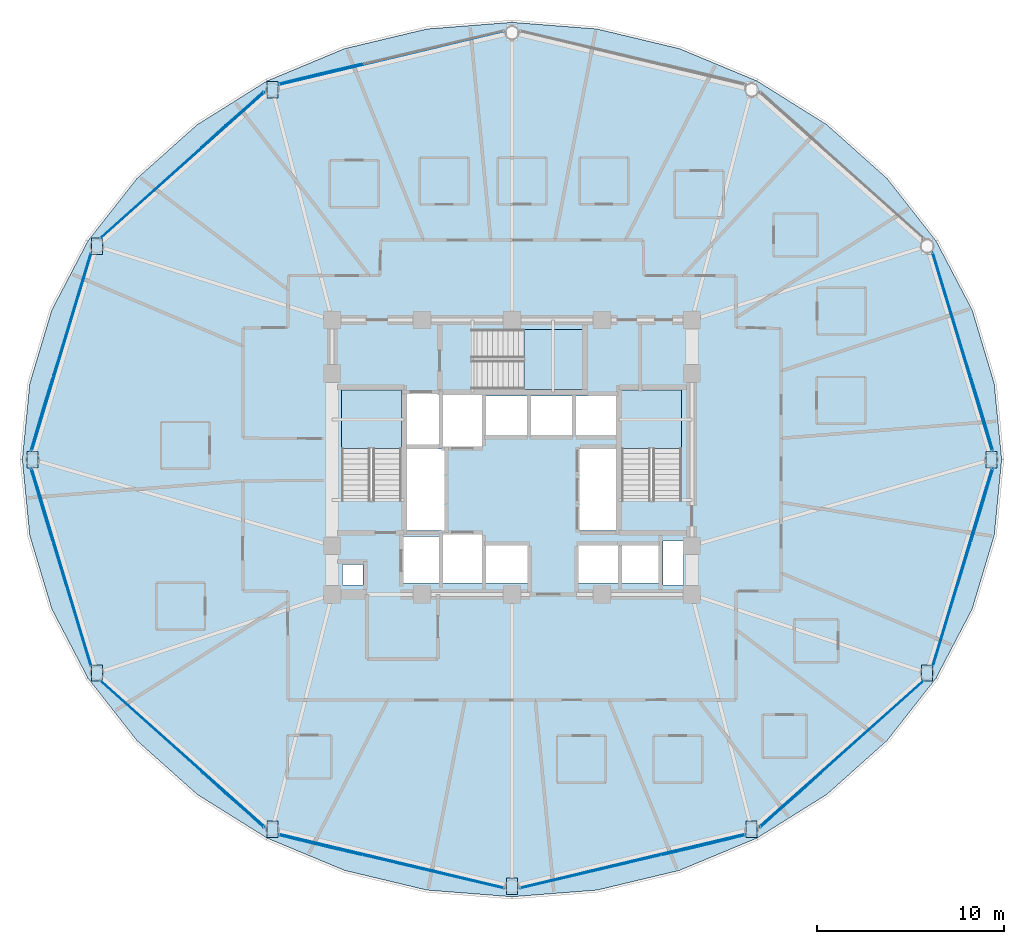
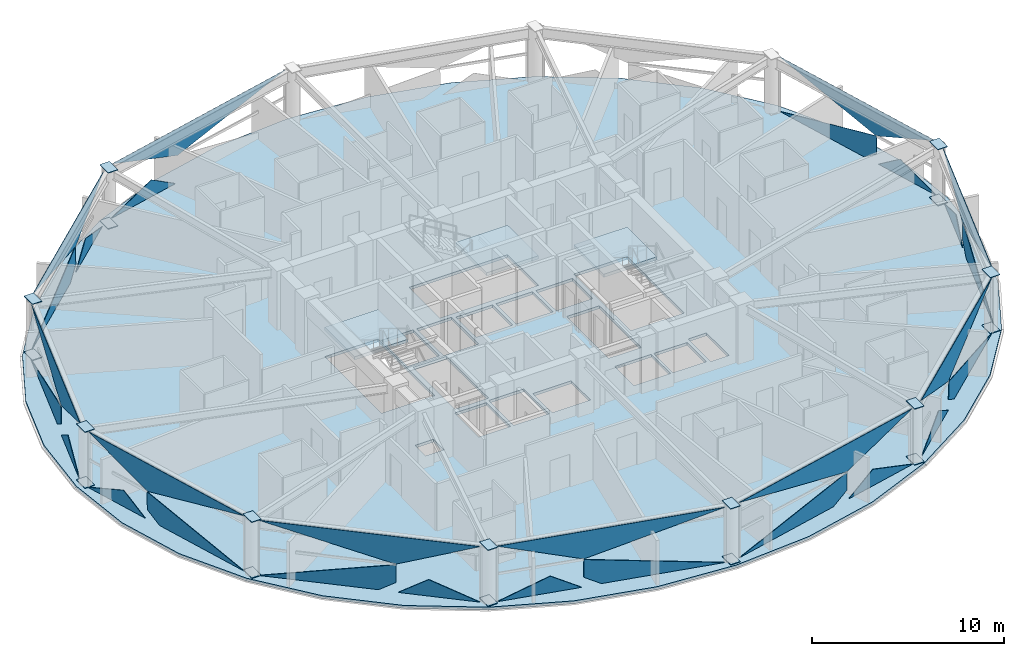
# One storey, part 23 of 32: 47 plates, 4 slabs, 13 elements without a shape of their own.
"""IFC4 building model written with IfcOpenShell, lengths in metres."""

from ifc_helpers import new_model, si_unit, direction, frame, origin, place, context, subcontext, project, spatial, polyline, outline, extrude, material, layer, layer_set, type_object, element, aggregate, save


model = new_model("IFC4")

# Units and contexts
model_context = context("Model", 3, precision=1e-05, world=origin(), true_north=direction((0.0, 1.0)))
body_context = subcontext(model_context, "Body", "Model", "MODEL_VIEW")
ifc_project = project(units=[si_unit("LENGTHUNIT", "METRE"), si_unit("AREAUNIT", "SQUARE_METRE"), si_unit("VOLUMEUNIT", "CUBIC_METRE"), si_unit("PLANEANGLEUNIT", "RADIAN"), si_unit("MASSUNIT", "GRAM", prefix="KILO")], contexts=[model_context])

# Site, building, storey
site_placement = place(None, origin())
site = spatial("IfcSite", under=ifc_project, at=site_placement, CompositionType="ELEMENT")
building_placement = place(site_placement, origin())
building = spatial("IfcBuilding", under=site, at=building_placement, Name="Vantalir Tower", CompositionType="ELEMENT")
storey_placement = place(building_placement, frame((0.0, 0.0, 100.949951171875)))
storey = spatial("IfcBuildingStorey", under=building, at=storey_placement, Name="L24", CompositionType="ELEMENT", Elevation=100.949951171875)

# Curtain wall, plates
ifc_material_1 = material(Name="Champagne-silver PVDF aluminium and double-silver Low-E glass", Category="aluminium")
ifc_layer_1 = layer(ifc_material_1, 0.199951171875)
ifc_layer_set_1 = layer_set([ifc_layer_1], Name="Champagne-silver PVDF aluminium and double-silver Low-E glass")
curtain_wall_type = type_object("IfcCurtainWallType", Name="CW-DIAMOND-Z2", PredefinedType="USERDEFINED", material=ifc_layer_set_1)
curtain_wall_1_placement = place(storey_placement, origin())
curtain_wall_1 = element("IfcCurtainWall", 1, at=curtain_wall_1_placement, inside=storey, type_object=curtain_wall_type, Name="L24 Quilted Pyramid-Diamond Curtain Wall S01", ObjectType="UNITISED CURTAIN WALL", PredefinedType="USERDEFINED")
ifc_material_2 = material(Name="Double-silver Low-E laminated glass IGU", Category="glass")
ifc_layer_2 = layer(ifc_material_2, 0.028076171875)
ifc_layer_set_2 = layer_set([ifc_layer_2], Name="Double-silver Low-E laminated glass IGU")
plate_type_1 = type_object("IfcPlateType", Name="CWP-IGU-28", PredefinedType="CURTAIN_PANEL", material=ifc_layer_set_2)
plate_1_placement = place(storey_placement, frame((55.6826171875, 30.306884765625, 0.046630859375), z_axis=(-0.95756403837, -0.287898052966, 0.013631710059), x_axis=(-0.287925332815, 0.957652860432, -4.0384027e-05)))
plate_1 = element("IfcPlate", 2, at=plate_1_placement, type_object=plate_type_1, Name="CW-L24-S01 Pyramid Diamond Facet 1L", PredefinedType="CURTAIN_PANEL", context=body_context, shape_type="SweptSolid", body=[
    extrude(outline(polyline([(0.0, 0.0), (6.000399187343155, 1.951563910473908e-18), (-0.8706162796729353, -1.726687779470175), (-0.8705613606186428, -0.5949926515613502), (0.0, 0.0)])), origin(), (0.0, 0.0, -1.0), 0.028076171875),
])
plate_2_placement = place(storey_placement, frame((57.177734375, 25.44482421875, 0.04638671875), z_axis=(-0.957563806236, -0.287891007038, 0.013795834682), x_axis=(-0.287919198102, 0.957654703836, -5.9883361e-05)))
plate_2 = element("IfcPlate", 3, at=plate_2_placement, type_object=plate_type_1, Name="CW-L24-S01 Pyramid Diamond Facet 1L Infill Light", PredefinedType="CURTAIN_PANEL", context=body_context, shape_type="SweptSolid", body=[
    extrude(outline(polyline([(0.0, 0.0), (4.07693593459358, -3.7947076036992655e-18), (2.5492999857107006, -1.0441973482101048), (0.0, 0.0)])), origin(), (0.0, 0.0, -1.0), 0.028076171875),
])
plate_3_placement = place(storey_placement, frame((53.955078125, 36.05322265625, 3.523681640625), z_axis=(0.957572880945, 0.287866041826, 0.013686476634), x_axis=(0.287893295674, -0.957662492646, -2.2020292e-05)))
plate_3 = element("IfcPlate", 4, at=plate_3_placement, type_object=plate_type_1, Name="CW-L24-S01 Pyramid Diamond Facet 2U", PredefinedType="CURTAIN_PANEL", context=body_context, shape_type="SweptSolid", body=[
    extrude(outline(polyline([(0.0, 0.0), (11.087074896201031, -1.81603863891322e-18), (6.870982973529119, 1.7268170809472392), (0.0, 0.0)])), origin(), (0.0, 0.0, -1.0), 0.028076171875),
])
aggregate(curtain_wall_1, [plate_1, plate_2, plate_3])

curtain_wall_2_placement = place(storey_placement, origin())
curtain_wall_2 = element("IfcCurtainWall", 5, at=curtain_wall_2_placement, inside=storey, type_object=curtain_wall_type, Name="L24 Quilted Pyramid-Diamond Curtain Wall S04", ObjectType="UNITISED CURTAIN WALL", PredefinedType="USERDEFINED")
plate_4_placement = place(storey_placement, frame((23.489013671875, 46.097900390625, 0.046142578125), z_axis=(0.232263895951, -0.972558301546, 0.013558492993), x_axis=(-0.972647707898, -0.232285247748, 0.0)))
plate_4 = element("IfcPlate", 6, at=plate_4_placement, type_object=plate_type_1, Name="CW-L24-S04 Pyramid Diamond Facet 1L Infill Light", PredefinedType="CURTAIN_PANEL", context=body_context, shape_type="SweptSolid", body=[
    extrude(outline(polyline([(0.0, 0.0), (4.567811199959756, 1.734723475976807e-18), (1.7036794894751262, -1.0542961302731988), (0.0, 0.0)])), origin(), (0.0, 0.0, -1.0), 0.028076171875),
])
plate_5_placement = place(storey_placement, frame((19.053466796875, 45.005615234375, 3.5234375), z_axis=(-0.232260523189, 0.972557634169, 0.013663732563), x_axis=(0.972648496566, 0.23228194449, 1.9782145e-05)))
plate_5 = element("IfcPlate", 7, at=plate_5_placement, type_object=plate_type_1, Name="CW-L24-S04 Pyramid Diamond Facet 2U", PredefinedType="CURTAIN_PANEL", context=body_context, shape_type="SweptSolid", body=[
    extrude(outline(polyline([(0.0, 0.0), (12.341463840613704, -1.2197274440461925e-18), (4.69288854270406, 1.7273048663411104), (0.0, 0.0)])), origin(), (0.0, 0.0, -1.0), 0.028076171875),
])
aggregate(curtain_wall_2, [plate_4, plate_5])

curtain_wall_3_placement = place(storey_placement, origin())
curtain_wall_3 = element("IfcCurtainWall", 8, at=curtain_wall_3_placement, inside=storey, type_object=curtain_wall_type, Name="L24 Quilted Pyramid-Diamond Curtain Wall S05", ObjectType="UNITISED CURTAIN WALL", PredefinedType="USERDEFINED")
plate_6_placement = place(storey_placement, frame((14.255615234375, 41.017333984375, 0.046630859375), z_axis=(0.665392914712, -0.746367998627, 0.013677707289), x_axis=(-0.746437475345, -0.665455553694, -3.8194755e-05)))
plate_6 = element("IfcPlate", 9, at=plate_6_placement, type_object=plate_type_1, Name="CW-L24-S05 Pyramid Diamond Facet 1L", PredefinedType="CURTAIN_PANEL", context=body_context, shape_type="SweptSolid", body=[
    extrude(outline(polyline([(0.0, 0.0), (6.3500459827509514, -1.1709383462843448e-17), (-0.9153453650937786, -1.7269332251036806), (-0.9153201269822808, -0.5932838592043047), (0.0, 0.0)])), origin(), (0.0, 0.0, -1.0), 0.028076171875),
])
plate_7_placement = place(storey_placement, frame((18.25, 44.62109375, 0.046142578125), z_axis=(0.665394080446, -0.746363789447, 0.01384960323), x_axis=(-0.746435380329, -0.665457904749, 0.0)))
plate_7 = element("IfcPlate", 10, at=plate_7_placement, type_object=plate_type_1, Name="CW-L24-S05 Pyramid Diamond Facet 1L Infill Light", PredefinedType="CURTAIN_PANEL", context=body_context, shape_type="SweptSolid", body=[
    extrude(outline(polyline([(0.0, 0.0), (4.332440294194434, 6.938893903907228e-18), (2.7132128791145194, -1.0496612202544433), (0.0, 0.0)])), origin(), (0.0, 0.0, -1.0), 0.028076171875),
])
plate_8_placement = place(storey_placement, frame((9.515625, 36.791748046875, 3.523681640625), z_axis=(-0.665380669575, 0.746378894422, 0.013678834638), x_axis=(0.746448542261, 0.665443140564, -2.081331e-05)))
plate_8 = element("IfcPlate", 11, at=plate_8_placement, type_object=plate_type_1, Name="CW-L24-S05 Pyramid Diamond Facet 2U", PredefinedType="CURTAIN_PANEL", context=body_context, shape_type="SweptSolid", body=[
    extrude(outline(polyline([(0.0, 0.0), (11.730024079727377, 8.131516293641283e-19), (7.265360941063275, 1.7270611486271994), (0.0, 0.0)])), origin(), (0.0, 0.0, -1.0), 0.028076171875),
])
aggregate(curtain_wall_3, [plate_6, plate_7, plate_8])

curtain_wall_4_placement = place(storey_placement, origin())
curtain_wall_4 = element("IfcCurtainWall", 12, at=curtain_wall_4_placement, inside=storey, type_object=curtain_wall_type, Name="L24 Quilted Pyramid-Diamond Curtain Wall S06", ObjectType="UNITISED CURTAIN WALL", PredefinedType="USERDEFINED")
plate_9_placement = place(storey_placement, frame((9.044921875, 36.05322265625, 0.04638671875), z_axis=(0.95756403837, -0.287898052966, 0.013631710059), x_axis=(-0.287925332815, -0.957652860432, 4.0384027e-05)))
plate_9 = element("IfcPlate", 13, at=plate_9_placement, type_object=plate_type_1, Name="CW-L24-S06 Pyramid Diamond Facet 1L", PredefinedType="CURTAIN_PANEL", context=body_context, shape_type="SweptSolid", body=[
    extrude(outline(polyline([(0.0, 0.0), (6.000399187343155, -1.951563910473908e-18), (6.870960547961797, -0.5949926515613503), (6.871015467016091, -1.726687779470175), (0.0, 0.0)])), origin(), (0.0, 0.0, -1.0), 0.028076171875),
])
plate_10_placement = place(storey_placement, frame((6.99609375, 29.34912109375, 0.046142578125), z_axis=(0.957563806236, -0.287891007038, 0.013795834682), x_axis=(-0.287919198102, -0.957654703836, 5.9883361e-05)))
plate_10 = element("IfcPlate", 14, at=plate_10_placement, type_object=plate_type_1, Name="CW-L24-S06 Pyramid Diamond Facet 1L Infill Light", PredefinedType="CURTAIN_PANEL", context=body_context, shape_type="SweptSolid", body=[
    extrude(outline(polyline([(0.0, 0.0), (4.07693593459358, 3.7947076036992655e-18), (1.5276359488828788, -1.0441973482101048), (0.0, 0.0)])), origin(), (0.0, 0.0, -1.0), 0.028076171875),
])
plate_11_placement = place(storey_placement, frame((5.85302734375, 25.435546875, 3.5234375), z_axis=(-0.957572880945, 0.287866041826, 0.013686476634), x_axis=(0.287893295674, 0.957662492646, 2.2020292e-05)))
plate_11 = element("IfcPlate", 15, at=plate_11_placement, type_object=plate_type_1, Name="CW-L24-S06 Pyramid Diamond Facet 2U", PredefinedType="CURTAIN_PANEL", context=body_context, shape_type="SweptSolid", body=[
    extrude(outline(polyline([(0.0, 0.0), (11.087074896201031, 1.81603863891322e-18), (4.216091922671914, 1.7268170809472392), (0.0, 0.0)])), origin(), (0.0, 0.0, -1.0), 0.028076171875),
])
aggregate(curtain_wall_4, [plate_9, plate_10, plate_11])

curtain_wall_5_placement = place(storey_placement, origin())
curtain_wall_5 = element("IfcCurtainWall", 16, at=curtain_wall_5_placement, inside=storey, type_object=curtain_wall_type, Name="L24 Quilted Pyramid-Diamond Curtain Wall S07", ObjectType="UNITISED CURTAIN WALL", PredefinedType="USERDEFINED")
plate_12_placement = place(storey_placement, frame((7.317626953125, 19.69287109375, 0.046630859375), z_axis=(0.957565354394, 0.287888958779, 0.013730967842), x_axis=(0.287916629402, -0.957655477144, -4.0134451e-05)))
plate_12 = element("IfcPlate", 17, at=plate_12_placement, type_object=plate_type_1, Name="CW-L24-S07 Pyramid Diamond Facet 1L", PredefinedType="CURTAIN_PANEL", context=body_context, shape_type="SweptSolid", body=[
    extrude(outline(polyline([(0.0, 0.0), (6.000095093555642, -2.520770051028798e-18), (-0.8709197295725497, -1.7266903298253766), (-0.8708652417256477, -0.5952393383365014), (0.0, 0.0)])), origin(), (0.0, 0.0, -1.0), 0.028076171875),
])
plate_13_placement = place(storey_placement, frame((5.822265625, 24.55517578125, 0.04638671875), z_axis=(0.957571371907, 0.287875292875, 0.013597185575), x_axis=(0.287902687536, -0.957659667588, -5.9879927e-05)))
plate_13 = element("IfcPlate", 18, at=plate_13_placement, type_object=plate_type_1, Name="CW-L24-S07 Pyramid Diamond Facet 1L Infill Light", PredefinedType="CURTAIN_PANEL", context=body_context, shape_type="SweptSolid", body=[
    extrude(outline(polyline([(0.0, 0.0), (4.077169737617452, -4.065758146820642e-18), (2.5496043296495423, -1.0441945160997539), (0.0, 0.0)])), origin(), (0.0, 0.0, -1.0), 0.028076171875),
])
plate_14_placement = place(storey_placement, frame((9.044921875, 13.94677734375, 3.523681640625), z_axis=(-0.957572880945, -0.287866041826, 0.013686476634), x_axis=(-0.287893295674, 0.957662492646, -2.2020292e-05)))
plate_14 = element("IfcPlate", 19, at=plate_14_placement, type_object=plate_type_1, Name="CW-L24-S07 Pyramid Diamond Facet 2U", PredefinedType="CURTAIN_PANEL", context=body_context, shape_type="SweptSolid", body=[
    extrude(outline(polyline([(0.0, 0.0), (11.087074896201031, -1.81603863891322e-18), (6.870982973529119, 1.7268170809472392), (0.0, 0.0)])), origin(), (0.0, 0.0, -1.0), 0.028076171875),
])
aggregate(curtain_wall_5, [plate_12, plate_13, plate_14])

curtain_wall_6_placement = place(storey_placement, origin())
curtain_wall_6 = element("IfcCurtainWall", 20, at=curtain_wall_6_placement, inside=storey, type_object=curtain_wall_type, Name="L24 Quilted Pyramid-Diamond Curtain Wall S08", ObjectType="UNITISED CURTAIN WALL", PredefinedType="USERDEFINED")
plate_15_placement = place(storey_placement, frame((9.515625, 13.208251953125, 0.04638671875), z_axis=(0.66539411383, 0.746367153414, 0.013665488839), x_axis=(0.74643650546, -0.665456641605, 3.8215537e-05)))
plate_15 = element("IfcPlate", 21, at=plate_15_placement, type_object=plate_type_1, Name="CW-L24-S08 Pyramid Diamond Facet 1L", PredefinedType="CURTAIN_PANEL", context=body_context, shape_type="SweptSolid", body=[
    extrude(outline(polyline([(0.0, 0.0), (6.350390683048887, -6.179952383167375e-18), (7.26536612455146, -0.5930394456479299), (7.265391417979465, -1.726932930720688), (0.0, 0.0)])), origin(), (0.0, 0.0, -1.0), 0.028076171875),
])
plate_16_placement = place(storey_placement, frame((15.01611328125, 8.26171875, 0.046142578125), z_axis=(0.665365089506, 0.746394476253, 0.013586150502), x_axis=(0.746463371838, -0.665426505712, 0.0)))
plate_16 = element("IfcPlate", 22, at=plate_16_placement, type_object=plate_type_1, Name="CW-L24-S08 Pyramid Diamond Facet 1L Infill Light", PredefinedType="CURTAIN_PANEL", context=body_context, shape_type="SweptSolid", body=[
    extrude(outline(polyline([(0.0, 0.0), (4.332277832718476, 6.938893903907228e-18), (1.6192465865300738, -1.0496574260588978), (0.0, 0.0)])), origin(), (0.0, 0.0, -1.0), 0.028076171875),
])
plate_17_placement = place(storey_placement, frame((18.271484375, 5.402587890625, 3.5234375), z_axis=(-0.665380669575, -0.746378894422, 0.013678834638), x_axis=(-0.746448542261, 0.665443140564, 2.081331e-05)))
plate_17 = element("IfcPlate", 23, at=plate_17_placement, type_object=plate_type_1, Name="CW-L24-S08 Pyramid Diamond Facet 2U", PredefinedType="CURTAIN_PANEL", context=body_context, shape_type="SweptSolid", body=[
    extrude(outline(polyline([(0.0, 0.0), (11.730024079727377, -8.131516293641283e-19), (4.464663138664101, 1.7270611486271994), (0.0, 0.0)])), origin(), (0.0, 0.0, -1.0), 0.028076171875),
])
aggregate(curtain_wall_6, [plate_15, plate_16, plate_17])

curtain_wall_7_placement = place(storey_placement, origin())
curtain_wall_7 = element("IfcCurtainWall", 24, at=curtain_wall_7_placement, inside=storey, type_object=curtain_wall_type, Name="L24 Quilted Pyramid-Diamond Curtain Wall S09", ObjectType="UNITISED CURTAIN WALL", PredefinedType="USERDEFINED")
plate_18_placement = place(storey_placement, frame((24.549072265625, 3.681884765625, 0.04638671875), z_axis=(0.232234255581, 0.972564710744, 0.013606393743), x_axis=(0.97265474992, -0.23225575872, 2.21496e-07)))
plate_18 = element("IfcPlate", 25, at=plate_18_placement, type_object=plate_type_1, Name="CW-L24-S09 Pyramid Diamond Facet 1L", PredefinedType="CURTAIN_PANEL", context=body_context, shape_type="SweptSolid", body=[
    extrude(outline(polyline([(0.0, 0.0), (6.691301387541699, -3.469446951953614e-18), (-0.9572399923047498, -1.7274550465904641), (-0.9571371626585519, -0.592341684166489), (0.0, 0.0)])), origin(), (0.0, 0.0, -1.0), 0.028076171875),
])
plate_19_placement = place(storey_placement, frame((19.046142578125, 4.963134765625, 0.046142578125), z_axis=(0.232263895951, 0.972558301546, 0.013558492993), x_axis=(0.972647707898, -0.232285247748, 0.0)))
plate_19 = element("IfcPlate", 26, at=plate_19_placement, type_object=plate_type_1, Name="CW-L24-S09 Pyramid Diamond Facet 1L Infill Light", PredefinedType="CURTAIN_PANEL", context=body_context, shape_type="SweptSolid", body=[
    extrude(outline(polyline([(0.0, 0.0), (4.567811199959756, -1.734723475976807e-18), (2.8641317104846302, -1.0542961302731988), (0.0, 0.0)])), origin(), (0.0, 0.0, -1.0), 0.028076171875),
])
plate_20_placement = place(storey_placement, frame((31.057373046875, 2.127685546875, 3.523681640625), z_axis=(-0.232260523189, -0.972557634169, 0.013663732563), x_axis=(-0.972648496566, 0.23228194449, -1.9782145e-05)))
plate_20 = element("IfcPlate", 27, at=plate_20_placement, type_object=plate_type_1, Name="CW-L24-S09 Pyramid Diamond Facet 2U", PredefinedType="CURTAIN_PANEL", context=body_context, shape_type="SweptSolid", body=[
    extrude(outline(polyline([(0.0, 0.0), (12.341463840613704, 1.2197274440461925e-18), (7.648575297909645, 1.7273048663411104), (0.0, 0.0)])), origin(), (0.0, 0.0, -1.0), 0.028076171875),
])
aggregate(curtain_wall_7, [plate_18, plate_19, plate_20])

curtain_wall_8_placement = place(storey_placement, origin())
curtain_wall_8 = element("IfcCurtainWall", 28, at=curtain_wall_8_placement, inside=storey, type_object=curtain_wall_type, Name="L24 Quilted Pyramid-Diamond Curtain Wall S10", ObjectType="UNITISED CURTAIN WALL", PredefinedType="USERDEFINED")
plate_21_placement = place(storey_placement, frame((31.942626953125, 2.127685546875, 0.04638671875), z_axis=(-0.232234255581, 0.972564710744, 0.013606393743), x_axis=(0.97265474992, 0.23225575872, -2.21496e-07)))
plate_21 = element("IfcPlate", 29, at=plate_21_placement, type_object=plate_type_1, Name="CW-L24-S10 Pyramid Diamond Facet 1L", PredefinedType="CURTAIN_PANEL", context=body_context, shape_type="SweptSolid", body=[
    extrude(outline(polyline([(0.0, 0.0), (6.691301387541699, 3.469446951953614e-18), (7.648438550200251, -0.592341684166489), (7.648541379846449, -1.7274550465904641), (0.0, 0.0)])), origin(), (0.0, 0.0, -1.0), 0.028076171875),
])
plate_22_placement = place(storey_placement, frame((39.510986328125, 3.902099609375, 0.046142578125), z_axis=(-0.232263895951, 0.972558301546, 0.013558492993), x_axis=(0.972647707898, 0.232285247748, 0.0)))
plate_22 = element("IfcPlate", 30, at=plate_22_placement, type_object=plate_type_1, Name="CW-L24-S10 Pyramid Diamond Facet 1L Infill Light", PredefinedType="CURTAIN_PANEL", context=body_context, shape_type="SweptSolid", body=[
    extrude(outline(polyline([(0.0, 0.0), (4.567811199959756, 1.734723475976807e-18), (1.7036794894751262, -1.0542961302731988), (0.0, 0.0)])), origin(), (0.0, 0.0, -1.0), 0.028076171875),
])
plate_23_placement = place(storey_placement, frame((43.946533203125, 4.994384765625, 3.5234375), z_axis=(0.232260523189, -0.972557634169, 0.013663732563), x_axis=(-0.972648496566, -0.23228194449, 1.9782145e-05)))
plate_23 = element("IfcPlate", 31, at=plate_23_placement, type_object=plate_type_1, Name="CW-L24-S10 Pyramid Diamond Facet 2U", PredefinedType="CURTAIN_PANEL", context=body_context, shape_type="SweptSolid", body=[
    extrude(outline(polyline([(0.0, 0.0), (12.341463840613704, -1.2197274440461925e-18), (4.69288854270406, 1.7273048663411104), (0.0, 0.0)])), origin(), (0.0, 0.0, -1.0), 0.028076171875),
])
aggregate(curtain_wall_8, [plate_21, plate_22, plate_23])

curtain_wall_9_placement = place(storey_placement, origin())
curtain_wall_9 = element("IfcCurtainWall", 32, at=curtain_wall_9_placement, inside=storey, type_object=curtain_wall_type, Name="L24 Quilted Pyramid-Diamond Curtain Wall S11", ObjectType="UNITISED CURTAIN WALL", PredefinedType="USERDEFINED")
plate_24_placement = place(storey_placement, frame((48.744140625, 8.982421875, 0.046630859375), z_axis=(-0.66539411383, 0.746367153414, 0.013665488839), x_axis=(0.74643650546, 0.665456641605, -3.8215537e-05)))
plate_24 = element("IfcPlate", 33, at=plate_24_placement, type_object=plate_type_1, Name="CW-L24-S11 Pyramid Diamond Facet 1L", PredefinedType="CURTAIN_PANEL", context=body_context, shape_type="SweptSolid", body=[
    extrude(outline(polyline([(0.0, 0.0), (6.350390683048887, 6.179952383167375e-18), (-0.9150007349305783, -1.726932930720688), (-0.9149754415025725, -0.5930394456479298), (0.0, 0.0)])), origin(), (0.0, 0.0, -1.0), 0.028076171875),
])
plate_25_placement = place(storey_placement, frame((44.75, 5.37890625, 0.046142578125), z_axis=(-0.665365089506, 0.746394476253, 0.013586150502), x_axis=(0.746463371838, 0.665426505712, 0.0)))
plate_25 = element("IfcPlate", 34, at=plate_25_placement, type_object=plate_type_1, Name="CW-L24-S11 Pyramid Diamond Facet 1L Infill Light", PredefinedType="CURTAIN_PANEL", context=body_context, shape_type="SweptSolid", body=[
    extrude(outline(polyline([(0.0, 0.0), (4.332277832718476, -6.938893903907228e-18), (2.713031246188402, -1.0496574260588978), (0.0, 0.0)])), origin(), (0.0, 0.0, -1.0), 0.028076171875),
])
plate_26_placement = place(storey_placement, frame((53.484375, 13.208251953125, 3.523681640625), z_axis=(0.665380669575, -0.746378894422, 0.013678834638), x_axis=(-0.746448542261, -0.665443140564, -2.081331e-05)))
plate_26 = element("IfcPlate", 35, at=plate_26_placement, type_object=plate_type_1, Name="CW-L24-S11 Pyramid Diamond Facet 2U", PredefinedType="CURTAIN_PANEL", context=body_context, shape_type="SweptSolid", body=[
    extrude(outline(polyline([(0.0, 0.0), (11.730024079727377, 8.131516293641283e-19), (7.265360941063275, 1.7270611486271994), (0.0, 0.0)])), origin(), (0.0, 0.0, -1.0), 0.028076171875),
])
aggregate(curtain_wall_9, [plate_24, plate_25, plate_26])

curtain_wall_10_placement = place(storey_placement, origin())
curtain_wall_10 = element("IfcCurtainWall", 36, at=curtain_wall_10_placement, inside=storey, type_object=curtain_wall_type, Name="L24 Quilted Pyramid-Diamond Curtain Wall S12", ObjectType="UNITISED CURTAIN WALL", PredefinedType="USERDEFINED")
plate_27_placement = place(storey_placement, frame((53.955078125, 13.94677734375, 0.04638671875), z_axis=(-0.957565354394, 0.287888958779, 0.013730967842), x_axis=(0.287916629402, 0.957655477144, 4.0134451e-05)))
plate_27 = element("IfcPlate", 37, at=plate_27_placement, type_object=plate_type_1, Name="CW-L24-S12 Pyramid Diamond Facet 1L", PredefinedType="CURTAIN_PANEL", context=body_context, shape_type="SweptSolid", body=[
    extrude(outline(polyline([(0.0, 0.0), (6.000095093555642, 2.520770051028798e-18), (6.870960335281289, -0.5952393383365013), (6.871014823128191, -1.7266903298253766), (0.0, 0.0)])), origin(), (0.0, 0.0, -1.0), 0.028076171875),
])
plate_28_placement = place(storey_placement, frame((56.00390625, 20.650634765625, 0.046142578125), z_axis=(-0.957571371907, 0.287875292875, 0.013597185575), x_axis=(0.287902687536, 0.957659667588, 5.9879927e-05)))
plate_28 = element("IfcPlate", 38, at=plate_28_placement, type_object=plate_type_1, Name="CW-L24-S12 Pyramid Diamond Facet 1L Infill Light", PredefinedType="CURTAIN_PANEL", context=body_context, shape_type="SweptSolid", body=[
    extrude(outline(polyline([(0.0, 0.0), (4.077169737617452, 4.065758146820642e-18), (1.5275654079679106, -1.0441945160997539), (0.0, 0.0)])), origin(), (0.0, 0.0, -1.0), 0.028076171875),
])
plate_29_placement = place(storey_placement, frame((57.14697265625, 24.564453125, 3.5234375), z_axis=(0.957572880945, -0.287866041826, 0.013686476634), x_axis=(-0.287893295674, -0.957662492646, 2.2020292e-05)))
plate_29 = element("IfcPlate", 39, at=plate_29_placement, type_object=plate_type_1, Name="CW-L24-S12 Pyramid Diamond Facet 2U", PredefinedType="CURTAIN_PANEL", context=body_context, shape_type="SweptSolid", body=[
    extrude(outline(polyline([(0.0, 0.0), (11.087074896201031, 1.81603863891322e-18), (4.216091922671914, 1.7268170809472392), (0.0, 0.0)])), origin(), (0.0, 0.0, -1.0), 0.028076171875),
])
aggregate(curtain_wall_10, [plate_27, plate_28, plate_29])

# Plates
ifc_material_3 = material(Name="Steel S460", Category="steel")
ifc_layer_3 = layer(ifc_material_3, 0.035888671875)
ifc_layer_set_3 = layer_set([ifc_layer_3], Name="Steel S460")
plate_type_2 = type_object("IfcPlateType", Name="PLT-KN-Z2", PredefinedType="USERDEFINED", material=ifc_layer_set_3)
for number, where, z_axis, x_axis, name in (
    (40, (56.798095703125, 25.43994140625, 3.59814453125), (0.0, 0.0, 1.0), (0.0, -1.0, 0.0), "L24 Ring Column Top Cap RC01"),
    (41, (56.798095703125, 25.43994140625, 0.052978515625), (0.0, 0.0, 1.0), (0.0, -1.0, 0.0), "L24 Ring Column Base Cap RC01"),
):
    element("IfcPlate", number, at=place(storey_placement, frame(where, z_axis=z_axis, x_axis=x_axis)), inside=storey, type_object=plate_type_2, Name=name, ObjectType="FLANGE_PLATE", PredefinedType="USERDEFINED", context=body_context, shape_type="SweptSolid", body=[
        extrude(outline(polyline([(0.0, 0.0), (0.8798828125, 0.0), (0.8798828125, 0.579833984375), (0.0, 0.579833984375), (0.0, 0.0)])), origin(), (0.0, 0.0, -1.0), 0.035888671875),
    ])
for number, where, z_axis, x_axis, name in (
    (42, (18.416015625, 45.175048828125, 3.59814453125), (0.0, 0.0, 1.0), (0.0, -1.0, 0.0), "L24 Ring Column Top Cap RC05"),
    (43, (18.416015625, 45.175048828125, 0.052978515625), (0.0, 0.0, 1.0), (0.0, -1.0, 0.0), "L24 Ring Column Base Cap RC05"),
):
    element("IfcPlate", number, at=place(storey_placement, frame(where, z_axis=z_axis, x_axis=x_axis)), inside=storey, type_object=plate_type_2, Name=name, ObjectType="FLANGE_PLATE", PredefinedType="USERDEFINED", context=body_context, shape_type="SweptSolid", body=[
        extrude(outline(polyline([(0.0, 0.0), (0.880126953125, 0.0), (0.880126953125, 0.580078125), (0.0, 0.580078125), (0.0, 0.0)])), origin(), (0.0, 0.0, -1.0), 0.035888671875),
    ])
for number, where, z_axis, x_axis, name in (
    (44, (9.050048828125, 36.833984375, 3.59814453125), (0.0, 0.0, 1.0), (0.0, -1.0, 0.0), "L24 Ring Column Top Cap RC06"),
    (45, (9.050048828125, 36.833984375, 0.052978515625), (0.0, 0.0, 1.0), (0.0, -1.0, 0.0), "L24 Ring Column Base Cap RC06"),
    (46, (5.6220703125, 25.43994140625, 3.59814453125), (0.0, 0.0, 1.0), (0.0, -1.0, 0.0), "L24 Ring Column Top Cap RC07"),
    (47, (5.6220703125, 25.43994140625, 0.052978515625), (0.0, 0.0, 1.0), (0.0, -1.0, 0.0), "L24 Ring Column Base Cap RC07"),
    (48, (9.050048828125, 14.0458984375, 3.59814453125), (0.0, 0.0, 1.0), (0.0, -1.0, 0.0), "L24 Ring Column Top Cap RC08"),
    (49, (9.050048828125, 14.0458984375, 0.052978515625), (0.0, 0.0, 1.0), (0.0, -1.0, 0.0), "L24 Ring Column Base Cap RC08"),
):
    element("IfcPlate", number, at=place(storey_placement, frame(where, z_axis=z_axis, x_axis=x_axis)), inside=storey, type_object=plate_type_2, Name=name, ObjectType="FLANGE_PLATE", PredefinedType="USERDEFINED", context=body_context, shape_type="SweptSolid", body=[
        extrude(outline(polyline([(0.0, 0.0), (0.8798828125, 0.0), (0.8798828125, 0.579833984375), (0.0, 0.579833984375), (0.0, 0.0)])), origin(), (0.0, 0.0, -1.0), 0.035888671875),
    ])
for number, where, z_axis, x_axis, name in (
    (50, (18.416015625, 5.705078125, 3.59814453125), (0.0, 0.0, 1.0), (0.0, -1.0, 0.0), "L24 Ring Column Top Cap RC09"),
    (51, (18.416015625, 5.705078125, 0.052978515625), (0.0, 0.0, 1.0), (0.0, -1.0, 0.0), "L24 Ring Column Base Cap RC09"),
    (52, (31.2099609375, 2.652099609375, 3.59814453125), (0.0, 0.0, 1.0), (0.0, -1.0, 0.0), "L24 Ring Column Top Cap RC10"),
    (53, (31.2099609375, 2.652099609375, 0.052978515625), (0.0, 0.0, 1.0), (0.0, -1.0, 0.0), "L24 Ring Column Base Cap RC10"),
    (54, (44.00390625, 5.705078125, 3.59814453125), (0.0, 0.0, 1.0), (0.0, -1.0, 0.0), "L24 Ring Column Top Cap RC11"),
    (55, (44.00390625, 5.705078125, 0.052978515625), (0.0, 0.0, 1.0), (0.0, -1.0, 0.0), "L24 Ring Column Base Cap RC11"),
):
    element("IfcPlate", number, at=place(storey_placement, frame(where, z_axis=z_axis, x_axis=x_axis)), inside=storey, type_object=plate_type_2, Name=name, ObjectType="FLANGE_PLATE", PredefinedType="USERDEFINED", context=body_context, shape_type="SweptSolid", body=[
        extrude(outline(polyline([(0.0, 0.0), (0.880126953125, 0.0), (0.880126953125, 0.580078125), (0.0, 0.580078125), (0.0, 0.0)])), origin(), (0.0, 0.0, -1.0), 0.035888671875),
    ])
for number, where, z_axis, x_axis, name in (
    (56, (53.3701171875, 14.0458984375, 3.59814453125), (0.0, 0.0, 1.0), (0.0, -1.0, 0.0), "L24 Ring Column Top Cap RC12"),
    (57, (53.3701171875, 14.0458984375, 0.052978515625), (0.0, 0.0, 1.0), (0.0, -1.0, 0.0), "L24 Ring Column Base Cap RC12"),
):
    element("IfcPlate", number, at=place(storey_placement, frame(where, z_axis=z_axis, x_axis=x_axis)), inside=storey, type_object=plate_type_2, Name=name, ObjectType="FLANGE_PLATE", PredefinedType="USERDEFINED", context=body_context, shape_type="SweptSolid", body=[
        extrude(outline(polyline([(0.0, 0.0), (0.8798828125, 0.0), (0.8798828125, 0.579833984375), (0.0, 0.579833984375), (0.0, 0.0)])), origin(), (0.0, 0.0, -1.0), 0.035888671875),
    ])

# Stair, slab
ifc_material_4 = material(Name="Concrete C40/50", Category="concrete")
stair_type = type_object("IfcStairType", Name="STR-CORE-1450", PredefinedType="HALF_TURN_STAIR", material=ifc_material_4)
stair_1_placement = place(storey_placement, origin())
stair_1 = element("IfcStair", 58, at=stair_1_placement, inside=storey, type_object=stair_type, Name="L24 Core Exit Stair 1", PredefinedType="HALF_TURN_STAIR")
ifc_layer_4 = layer(ifc_material_4, 0.199951171875)
ifc_layer_set_4 = layer_set([ifc_layer_4], Name="Concrete C40/50")
slab_type_1 = type_object("IfcSlabType", Name="SL-LAND-200", PredefinedType="LANDING", material=ifc_layer_set_4)
slab_1_placement = place(storey_placement, frame((0.0, 0.0, 1.675048828125)))
slab_1 = element("IfcSlab", 59, at=slab_1_placement, type_object=slab_type_1, Name="ST1 landing 1", PredefinedType="LANDING", context=body_context, shape_type="SweptSolid", body=[
    extrude(outline(polyline([(25.60009765625, 25.590087890625), (25.60009765625, 28.699951171875), (22.39990234375, 28.699951171875), (22.39990234375, 25.590087890625), (25.60009765625, 25.590087890625)])), origin(), (0.0, 0.0, 1.0), 0.199951171875),
])
aggregate(stair_1, [slab_1])

stair_2_placement = place(storey_placement, origin())
stair_2 = element("IfcStair", 60, at=stair_2_placement, inside=storey, type_object=stair_type, Name="L24 Core Exit Stair 2", PredefinedType="HALF_TURN_STAIR")
slab_2_placement = place(storey_placement, frame((0.0, 0.0, 1.675048828125)))
slab_2 = element("IfcSlab", 61, at=slab_2_placement, type_object=slab_type_1, Name="ST2 landing 1", PredefinedType="LANDING", context=body_context, shape_type="SweptSolid", body=[
    extrude(outline(polyline([(40.550048828125, 25.590087890625), (40.550048828125, 28.699951171875), (37.35009765625, 28.699951171875), (37.35009765625, 25.590087890625), (40.550048828125, 25.590087890625)])), origin(), (0.0, 0.0, 1.0), 0.199951171875),
])
aggregate(stair_2, [slab_2])

stair_3_placement = place(storey_placement, origin())
stair_3 = element("IfcStair", 62, at=stair_3_placement, inside=storey, type_object=stair_type, Name="L24 Core Exit Stair 3", PredefinedType="HALF_TURN_STAIR")
slab_3_placement = place(storey_placement, frame((0.0, 0.0, 1.675048828125)))
slab_3 = element("IfcSlab", 63, at=slab_3_placement, type_object=slab_type_1, Name="ST3 landing 1", PredefinedType="LANDING", context=body_context, shape_type="SweptSolid", body=[
    extrude(outline(polyline([(32.139892578125, 28.75), (35.25, 28.75), (35.25, 31.949951171875), (32.139892578125, 31.949951171875), (32.139892578125, 28.75)])), origin(), (0.0, 0.0, 1.0), 0.199951171875),
])
aggregate(stair_3, [slab_3])

# Slab
ifc_layer_5 = layer(ifc_material_4, 0.179931640625)
ifc_layer_set_5 = layer_set([ifc_layer_5], Name="Concrete C40/50")
slab_type_2 = type_object("IfcSlabType", Name="SL-TWR-180", PredefinedType="FLOOR", material=ifc_layer_set_5)
slab_4_placement = place(storey_placement, frame((0.0, 0.0, -0.179931640625)))
element("IfcSlab", 64, at=slab_4_placement, inside=storey, type_object=slab_type_2, Name="L24 Primary Structural Slab", PredefinedType="FLOOR", context=body_context, shape_type="SweptSolid", body=[
    extrude(outline(polyline([(6.93798828125, 17.01806640625), (8.864013671875, 13.3310546875), (11.47705078125, 9.9990234375), (14.698974609375, 7.1220703125), (18.430908203125, 4.7890625), (22.56005859375, 3.069091796875), (26.9609375, 2.01708984375), (31.5, 1.662109375), (36.0390625, 2.01708984375), (40.43994140625, 3.069091796875), (44.569091796875, 4.7890625), (48.301025390625, 7.1220703125), (51.52294921875, 9.9990234375), (54.135986328125, 13.3310546875), (56.06201171875, 17.01806640625), (57.240966796875, 20.947021484375), (57.637939453125, 25.0), (57.240966796875, 29.052978515625), (56.06201171875, 32.98193359375), (54.135986328125, 36.6689453125), (51.52294921875, 40.0009765625), (48.301025390625, 42.8779296875), (44.569091796875, 45.2109375), (40.43994140625, 46.930908203125), (36.0390625, 47.98291015625), (31.5, 48.337890625), (26.9609375, 47.98291015625), (22.56005859375, 46.930908203125), (18.430908203125, 45.2109375), (14.698974609375, 42.8779296875), (11.47705078125, 40.0009765625), (8.864013671875, 36.6689453125), (6.93798828125, 32.98193359375), (5.759033203125, 29.052978515625), (5.362060546875, 25.0), (5.759033203125, 20.947021484375), (6.93798828125, 17.01806640625)]), holes=[polyline([(25.60009765625, 22.7900390625), (22.39990234375, 22.7900390625), (22.39990234375, 28.699951171875), (25.60009765625, 28.699951171875), (25.60009765625, 22.7900390625)]), polyline([(37.35009765625, 22.7900390625), (37.35009765625, 28.699951171875), (40.550048828125, 28.699951171875), (40.550048828125, 22.7900390625), (37.35009765625, 22.7900390625)]), polyline([(35.25, 31.949951171875), (35.25, 28.75), (29.340087890625, 28.75), (29.340087890625, 31.949951171875), (35.25, 31.949951171875)]), polyline([(27.60009765625, 20.89990234375), (27.60009765625, 18.39990234375), (25.699951171875, 18.39990234375), (25.699951171875, 20.89990234375), (27.60009765625, 20.89990234375)]), polyline([(27.60009765625, 25.800048828125), (25.699951171875, 25.800048828125), (25.699951171875, 28.5), (27.60009765625, 28.5), (27.60009765625, 25.800048828125)]), polyline([(27.800048828125, 18.39990234375), (27.800048828125, 21.0), (29.89990234375, 21.0), (29.89990234375, 18.39990234375), (27.800048828125, 18.39990234375)]), polyline([(27.800048828125, 28.5), (29.89990234375, 28.5), (29.89990234375, 25.699951171875), (27.800048828125, 25.699951171875), (27.800048828125, 28.5)]), polyline([(32.39990234375, 20.39990234375), (32.39990234375, 18.39990234375), (30.10009765625, 18.39990234375), (30.10009765625, 20.39990234375), (32.39990234375, 20.39990234375)]), polyline([(39.35009765625, 18.39990234375), (37.35009765625, 18.39990234375), (37.35009765625, 20.39990234375), (39.35009765625, 20.39990234375), (39.35009765625, 18.39990234375)]), polyline([(35.0, 18.39990234375), (35.0, 20.39990234375), (37.199951171875, 20.39990234375), (37.199951171875, 18.39990234375), (35.0, 18.39990234375)]), polyline([(30.10009765625, 28.39990234375), (32.300048828125, 28.39990234375), (32.300048828125, 26.300048828125), (30.10009765625, 26.300048828125), (30.10009765625, 28.39990234375)]), polyline([(34.699951171875, 28.39990234375), (34.699951171875, 26.300048828125), (32.5, 26.300048828125), (32.5, 28.39990234375), (34.699951171875, 28.39990234375)]), polyline([(37.10009765625, 26.300048828125), (34.89990234375, 26.300048828125), (34.89990234375, 28.39990234375), (37.10009765625, 28.39990234375), (37.10009765625, 26.300048828125)]), polyline([(25.889892578125, 21.199951171875), (25.889892578125, 25.56005859375), (27.89990234375, 25.56005859375), (27.89990234375, 21.199951171875), (25.889892578125, 21.199951171875)]), polyline([(35.10009765625, 25.56005859375), (37.06005859375, 25.56005859375), (37.06005859375, 21.199951171875), (35.10009765625, 21.199951171875), (35.10009765625, 25.56005859375)]), polyline([(23.550048828125, 19.39990234375), (23.550048828125, 18.300048828125), (22.449951171875, 18.300048828125), (22.449951171875, 19.39990234375), (23.550048828125, 19.39990234375)]), polyline([(40.64990234375, 18.300048828125), (39.550048828125, 18.300048828125), (39.550048828125, 20.64990234375), (40.64990234375, 20.64990234375), (40.64990234375, 18.300048828125)])]), origin(), (0.0, 0.0, 1.0), 0.179931640625),
])

save(model, "model.ifc")
